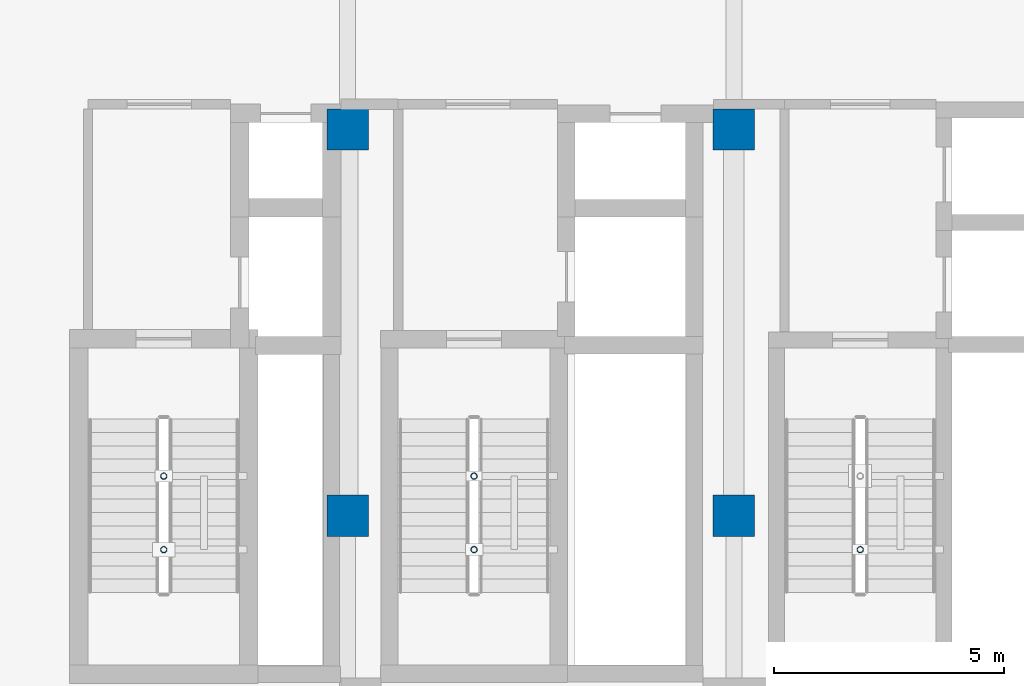
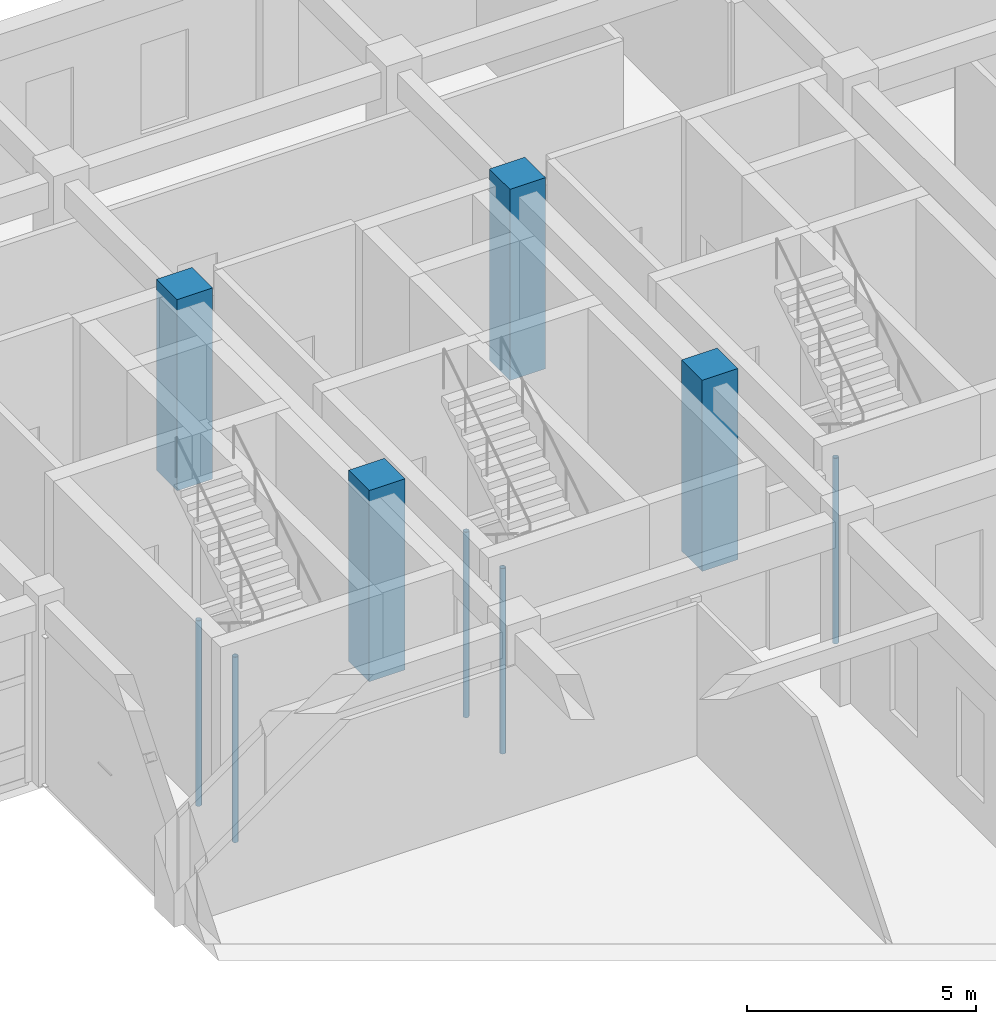
# One storey, part 15 of 80: 9 columns.
"""IFC4 building model written with IfcOpenShell, lengths in metres."""

from ifc_helpers import new_model, si_unit, direction, frame, origin, origin_2d, place, context, subcontext, project, spatial, rectangle, hollow_circle, extrude, material, material_profile, profile_set, type_object, element, save


model = new_model("IFC4")

# Units and contexts
model_context = context("Model", 3, precision=1e-05, world=origin(), true_north=direction((0.0, 1.0)))
body_context = subcontext(model_context, "Body", "Model", "MODEL_VIEW")
ifc_project = project(units=[si_unit("LENGTHUNIT", "METRE"), si_unit("AREAUNIT", "SQUARE_METRE"), si_unit("VOLUMEUNIT", "CUBIC_METRE"), si_unit("PLANEANGLEUNIT", "RADIAN"), si_unit("MASSUNIT", "GRAM", prefix="KILO")], contexts=[model_context])

# Site, building, storey
site_placement = place(None, origin())
site = spatial("IfcSite", under=ifc_project, at=site_placement, CompositionType="ELEMENT")
building_placement = place(site_placement, origin())
building = spatial("IfcBuilding", under=site, at=building_placement, Name="Krzemoval Escarpment Law Courts", CompositionType="ELEMENT")
storey_placement = place(building_placement, origin())
storey = spatial("IfcBuildingStorey", under=building, at=storey_placement, Name="L00", CompositionType="ELEMENT", Elevation=0.0)

# Columns
ifc_material_1 = material(Name="Concrete C50/60", Category="concrete")
ifc_material_profile_1 = material_profile(ifc_material_1, rectangle(XDim=0.89990234375, YDim=0.89990234375, at=origin_2d()), Name="RC 900x900")
ifc_profile_set_1 = profile_set([ifc_material_profile_1], Name="Concrete C50/60")
column_type_1 = type_object("IfcColumnType", Name="COL-RC-900", PredefinedType="COLUMN", material=ifc_profile_set_1)
for number, where, z_axis, x_axis, name in (
    (1, (134.39990234375, 99.60009765625, 0.0), (0.0, 0.0, 1.0), (1.0, 0.0, 0.0), "Column FC-L00-0467"),
    (2, (134.39990234375, 108.0, 0.0), (0.0, 0.0, 1.0), (1.0, 0.0, 0.0), "Column FC-L00-0468"),
    (3, (142.800048828125, 99.60009765625, 0.0), (0.0, 0.0, 1.0), (1.0, 0.0, 0.0), "Column FC-L00-0484"),
    (4, (142.800048828125, 108.0, 0.0), (0.0, 0.0, 1.0), (1.0, 0.0, 0.0), "Column FC-L00-0485"),
):
    element("IfcColumn", number, at=place(storey_placement, frame(where, z_axis=z_axis, x_axis=x_axis)), inside=storey, type_object=column_type_1, Name=name, PredefinedType="COLUMN", context=body_context, shape_type="SweptSolid", body=[
        extrude(rectangle(XDim=0.89990234375, YDim=0.89990234375, at=origin_2d()), origin(), (0.0, 0.0, 1.0), 5.10009765625),
    ])
ifc_material_2 = material(Name="Steel S355", Category="steel")
ifc_material_profile_2 = material_profile(ifc_material_2, hollow_circle(Radius=0.06982421875, WallThickness=0.008056640625, at=origin_2d()), Name="CHS 139.7x8")
ifc_profile_set_2 = profile_set([ifc_material_profile_2], Name="Steel S355")
column_type_2 = type_object("IfcColumnType", Name="COL-S355-CHS140", PredefinedType="COLUMN", material=ifc_profile_set_2)
for number, where, z_axis, x_axis, name in (
    (5, (130.39990234375, 98.860107421875, -2.830078125), (0.0, 0.0, 1.0), (1.0, 0.0, 0.0), "Stair Well Post SCP-C1-L00-1"),
    (6, (130.39990234375, 100.4599609375, -2.830078125), (0.0, 0.0, 1.0), (1.0, 0.0, 0.0), "Stair Well Post SCP-C1-L00-2"),
    (7, (137.14990234375, 98.860107421875, -2.830078125), (0.0, 0.0, 1.0), (1.0, 0.0, 0.0), "Stair Well Post SCP-C2-L00-1"),
    (8, (137.14990234375, 100.4599609375, -2.830078125), (0.0, 0.0, 1.0), (1.0, 0.0, 0.0), "Stair Well Post SCP-C2-L00-2"),
    (9, (145.550048828125, 98.860107421875, -2.830078125), (0.0, 0.0, 1.0), (1.0, 0.0, 0.0), "Stair Well Post SCP-C3-L00-1"),
):
    element("IfcColumn", number, at=place(storey_placement, frame(where, z_axis=z_axis, x_axis=x_axis)), inside=storey, type_object=column_type_2, Name=name, PredefinedType="COLUMN", context=body_context, shape_type="SweptSolid", body=[
        extrude(hollow_circle(Radius=0.06982421875, WallThickness=0.008056640625, at=origin_2d()), origin(), (0.0, 0.0, 1.0), 4.9501953125),
    ])

save(model, "model.ifc")
